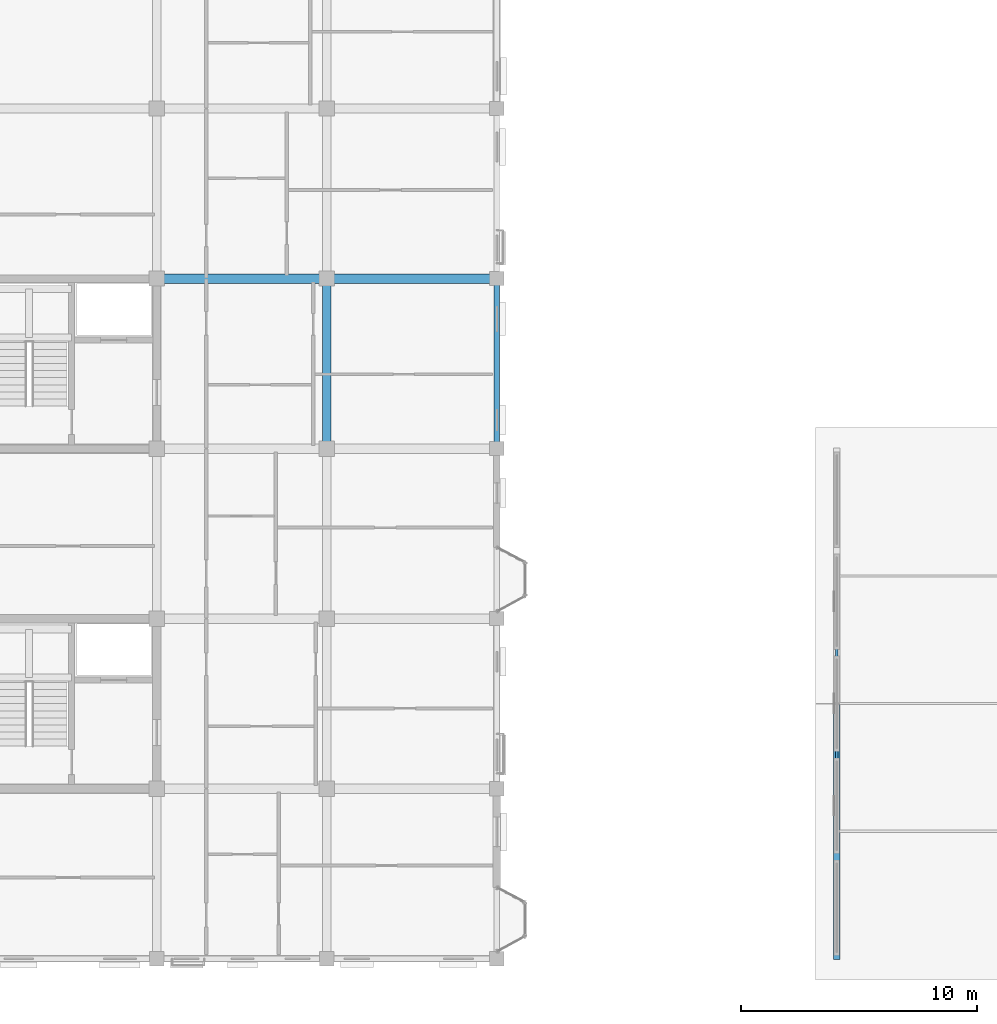
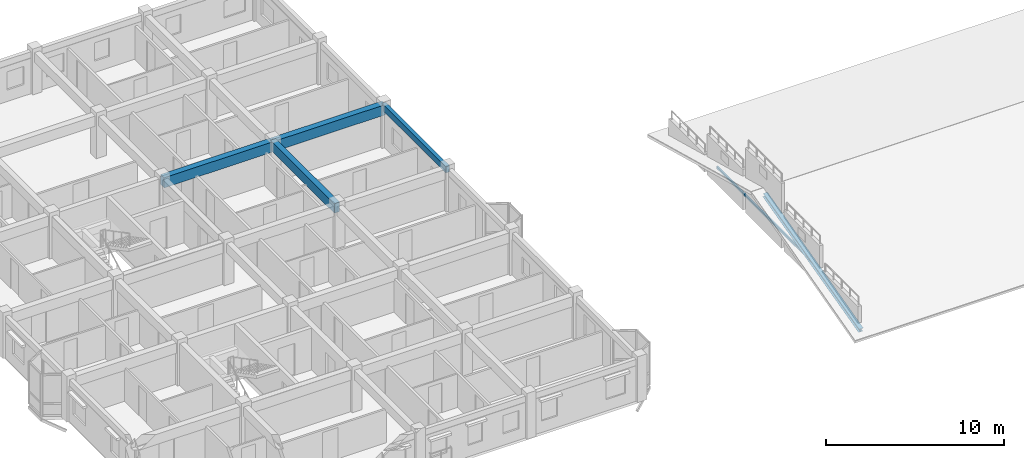
# One storey, part 12 of 124: 4 beams, 2 members.
"""IFC4 building model written with IfcOpenShell, lengths in metres."""

from ifc_helpers import new_model, si_unit, direction, frame, origin, origin_2d, place, context, subcontext, project, spatial, rectangle, hollow_rectangle, i_section, extrude, material, material_profile, profile_set, type_object, element, save


model = new_model("IFC4")

# Units and contexts
model_context = context("Model", 3, precision=1e-05, world=origin(), true_north=direction((0.0, 1.0)))
body_context = subcontext(model_context, "Body", "Model", "MODEL_VIEW")
ifc_project = project(units=[si_unit("LENGTHUNIT", "METRE"), si_unit("AREAUNIT", "SQUARE_METRE"), si_unit("VOLUMEUNIT", "CUBIC_METRE"), si_unit("PLANEANGLEUNIT", "RADIAN"), si_unit("MASSUNIT", "GRAM", prefix="KILO"), si_unit("THERMODYNAMICTEMPERATUREUNIT", "KELVIN"), si_unit("POWERUNIT", "WATT")], contexts=[model_context])

# Site, building, storey
site_placement = place(None, origin())
site = spatial("IfcSite", under=ifc_project, at=site_placement, CompositionType="ELEMENT")
building_placement = place(site_placement, origin())
building = spatial("IfcBuilding", under=site, at=building_placement, Name="Tavuni Mirador Residences", CompositionType="ELEMENT")
storey_placement = place(building_placement, frame((0.0, 0.0, 7.64990234375)))
storey = spatial("IfcBuildingStorey", under=building, at=storey_placement, Name="L02", CompositionType="ELEMENT", Elevation=7.64990234375)

# Beams
ifc_material_1 = material(Name="Precast concrete C40/50", Category="concrete")
ifc_material_profile_1 = material_profile(ifc_material_1, rectangle(XDim=0.35009765625, YDim=0.64990234375, at=origin_2d()), Name="PC 350x650", Category="concrete")
ifc_profile_set_1 = profile_set([ifc_material_profile_1], Name="Precast concrete C40/50")
beam_type_1 = type_object("IfcBeamType", Name="BT-B650", PredefinedType="BEAM", material=ifc_profile_set_1)
beam_1_placement = place(storey_placement, frame((25.199951171875, 28.800048828125, 2.545166015625), z_axis=(0.0, 1.0, 0.0), x_axis=(-1.0, 0.0, 0.0)))
element("IfcBeam", 1, at=beam_1_placement, inside=storey, type_object=beam_type_1, Name="BMY-BLK-A-L02-03-03", PredefinedType="BEAM", context=body_context, shape_type="SweptSolid", body=[
    extrude(rectangle(XDim=0.35009765625, YDim=0.64990234375, at=origin_2d()), origin(), (0.0, 0.0, 1.0), 7.199951171875),
])
ifc_material_profile_2 = material_profile(ifc_material_1, rectangle(XDim=0.39990234375, YDim=0.699951171875, at=origin_2d()), Name="PC 400x700", Category="concrete")
ifc_profile_set_2 = profile_set([ifc_material_profile_2], Name="Precast concrete C40/50")
beam_type_2 = type_object("IfcBeamType", Name="BT-B700", PredefinedType="BEAM", material=ifc_profile_set_2)
for number, where, z_axis, x_axis, name in (
    (2, (18.0, 36.0, 2.52001953125), (1.0, 0.0, 0.0), (0.0, 1.0, 0.0), "BMX-BLK-A-L02-02-04"),
    (3, (25.199951171875, 36.0, 2.52001953125), (1.0, 0.0, 0.0), (0.0, 1.0, 0.0), "BMX-BLK-A-L02-03-04"),
):
    element("IfcBeam", number, at=place(storey_placement, frame(where, z_axis=z_axis, x_axis=x_axis)), inside=storey, type_object=beam_type_2, Name=name, PredefinedType="BEAM", context=body_context, shape_type="SweptSolid", body=[
        extrude(rectangle(XDim=0.39990234375, YDim=0.699951171875, at=origin_2d()), origin(), (0.0, 0.0, 1.0), 7.199951171875),
    ])
ifc_material_profile_3 = material_profile(ifc_material_1, rectangle(XDim=0.25, YDim=0.419921875, at=origin_2d()), Name="PC 250x420", Category="concrete")
ifc_profile_set_3 = profile_set([ifc_material_profile_3], Name="Precast concrete C40/50")
beam_type_3 = type_object("IfcBeamType", Name="BT-SP420", PredefinedType="SPANDREL", material=ifc_profile_set_3)
beam_2_placement = place(storey_placement, frame((32.39990234375, 28.800048828125, 2.66015625), z_axis=(0.0, 1.0, 0.0), x_axis=(-1.0, 0.0, 0.0)))
element("IfcBeam", 4, at=beam_2_placement, inside=storey, type_object=beam_type_3, Name="BMY-BLK-A-L02-04-03", PredefinedType="SPANDREL", context=body_context, shape_type="SweptSolid", body=[
    extrude(rectangle(XDim=0.25, YDim=0.419921875, at=origin_2d()), origin(), (0.0, 0.0, 1.0), 7.199951171875),
])

# Members
ifc_material_2 = material(Name="Structural steel S355", Category="steel")
ifc_material_profile_4 = material_profile(ifc_material_2, hollow_rectangle(XDim=0.10009765625, YDim=0.14990234375, WallThickness=0.008056640625, at=origin_2d()), Name="RHS 150x100x8.0", Category="steel")
ifc_profile_set_4 = profile_set([ifc_material_profile_4], Name="Structural steel S355")
member_type_1 = type_object("IfcMemberType", Name="MT-BR-RHS150", PredefinedType="BRACE", material=ifc_profile_set_4)
member_1_placement = place(storey_placement, frame((46.800048828125, 12.60009765625, 1.050048828125), z_axis=(0.0, 1.0, 0.0), x_axis=(-1.0, 0.0, 0.0)))
element("IfcMember", 5, at=member_1_placement, inside=storey, type_object=member_type_1, Name="RTIE-PAV-SHOP-00", PredefinedType="BRACE", context=body_context, shape_type="SweptSolid", body=[
    extrude(hollow_rectangle(XDim=0.10009765625, YDim=0.14990234375, WallThickness=0.008056640625, at=origin_2d()), origin(), (0.0, 0.0, 1.0), 10.7998046875),
])
ifc_material_profile_5 = material_profile(ifc_material_2, i_section(OverallWidth=0.280029296875, OverallDepth=0.27001953125, WebThickness=0.008056640625, FlangeThickness=0.012939453125, FilletRadius=0.02392578125, at=origin_2d()), Name="HEA 280", Category="steel")
ifc_profile_set_5 = profile_set([ifc_material_profile_5], Name="Structural steel S355")
member_type_2 = type_object("IfcMemberType", Name="MT-CH-HEA280", PredefinedType="CHORD", material=ifc_profile_set_5)
member_2_placement = place(storey_placement, frame((46.800048828125, 7.199951171875, -0.349853515625), z_axis=(0.0, 0.967996110632, 0.250965196393), x_axis=(-1.0, 0.0, 0.0)))
element("IfcMember", 6, at=member_2_placement, inside=storey, type_object=member_type_2, Name="RAF-PAV-SHOP-00-S", PredefinedType="CHORD", context=body_context, shape_type="SweptSolid", body=[
    extrude(i_section(OverallWidth=0.280029296875, OverallDepth=0.27001953125, WebThickness=0.008056640625, FlangeThickness=0.012939453125, FilletRadius=0.02392578125, at=origin_2d()), origin(), (0.0, 0.0, 1.0), 11.1572265625),
])

save(model, "model.ifc")
